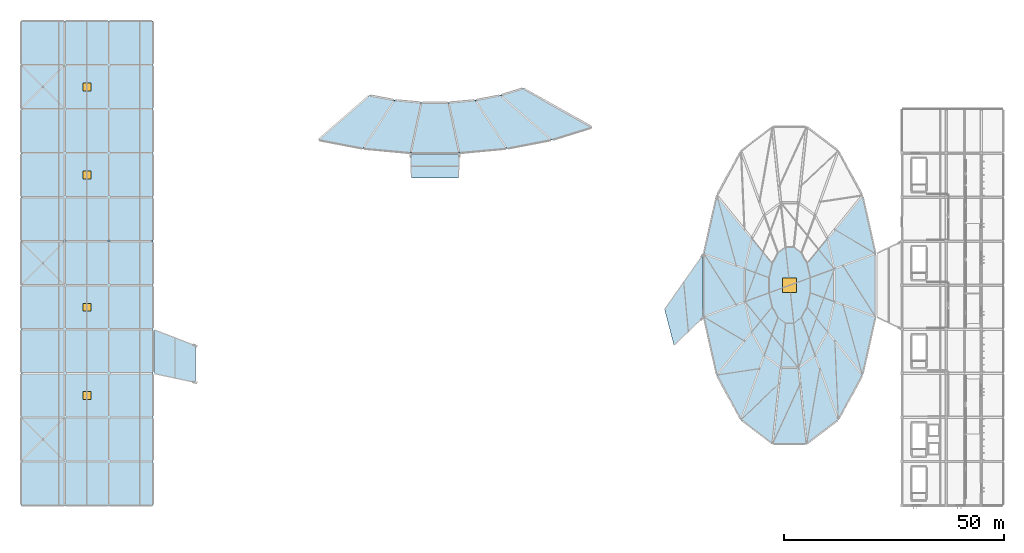
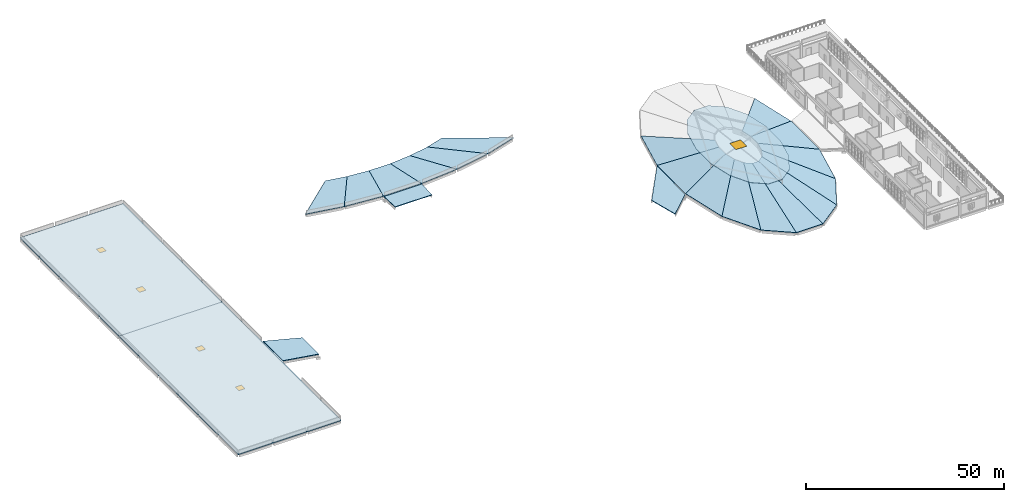
# One storey, part 15 of 39: 23 slabs, 5 windows, 5 openings.
"""IFC4 building model written with IfcOpenShell, lengths in metres."""

from ifc_helpers import new_model, si_unit, direction, frame, origin, origin_2d, place, context, subcontext, project, spatial, polyline, rectangle, outline, extrude, material, layer, layer_set, type_object, element, fill, save


model = new_model("IFC4")

# Units and contexts
model_context = context("Model", 3, precision=1e-05, world=origin(), true_north=direction((0.0, 1.0)))
body_context = subcontext(model_context, "Body", "Model", "MODEL_VIEW")
ifc_project = project(units=[si_unit("LENGTHUNIT", "METRE"), si_unit("AREAUNIT", "SQUARE_METRE"), si_unit("VOLUMEUNIT", "CUBIC_METRE"), si_unit("PLANEANGLEUNIT", "RADIAN"), si_unit("MASSUNIT", "GRAM", prefix="KILO")], contexts=[model_context])

# Site, building, storey
site_placement = place(None, origin())
site = spatial("IfcSite", under=ifc_project, at=site_placement, CompositionType="ELEMENT")
building_placement = place(site_placement, origin())
building = spatial("IfcBuilding", under=site, at=building_placement, Name="Corvandel Quay Wholesale Market", CompositionType="ELEMENT")
storey_placement = place(building_placement, frame((0.0, 0.0, 15.0)))
storey = spatial("IfcBuildingStorey", under=building, at=storey_placement, Name="L03", CompositionType="ELEMENT", Elevation=15.0)

# Slab, openings, windows
ifc_material_1 = material(Name="Precast concrete C45/55", Category="concrete")
ifc_layer_1 = layer(ifc_material_1, 0.25)
ifc_layer_set_1 = layer_set([ifc_layer_1], Name="Precast concrete C45/55")
slab_type_1 = type_object("IfcSlabType", Name="Heavy Plant Precast Roof Slab 250", PredefinedType="ROOF", material=ifc_layer_set_1)
slab_1_placement = place(storey_placement, frame((0.0, 0.0, -0.25)))
slab_1 = element("IfcSlab", 1, at=slab_1_placement, inside=storey, type_object=slab_type_1, Name="Slab SLB-0459", PredefinedType="ROOF", context=body_context, shape_type="SweptSolid", body=[
    extrude(outline(polyline([(20.0, 10.0), (50.0, 10.0), (50.0, 70.0), (20.0, 70.0), (20.0, 10.0)])), origin(), (0.0, 0.0, 1.0), 0.25),
])
opening_1_placement = place(slab_1_placement, frame((35.0, 35.0, 0.0)))
opening_1 = element("IfcOpeningElement", 2, at=opening_1_placement, cuts=slab_1, Name="Opening L03-SK006", PredefinedType="OPENING", context=body_context, shape_type="SweptSolid", body=[
    extrude(rectangle(XDim=1.800048828125, YDim=1.800048828125, at=origin_2d()), origin(), (0.0, 0.0, 1.0), 0.25),
])
opening_2_placement = place(slab_1_placement, frame((35.0, 55.0, 0.0)))
opening_2 = element("IfcOpeningElement", 3, at=opening_2_placement, cuts=slab_1, Name="Opening L03-SK007", PredefinedType="OPENING", context=body_context, shape_type="SweptSolid", body=[
    extrude(rectangle(XDim=1.800048828125, YDim=1.800048828125, at=origin_2d()), origin(), (0.0, 0.0, 1.0), 0.25),
])
ifc_material_2 = material(Name="Thermally broken bronze anodised aluminium and solar-control low-E double glazing", Category="aluminium")
window_type_1 = type_object("IfcWindowType", Name="Cold Block Smoke Vent Skylight SK05 1800x1800", PartitioningType="SINGLE_PANEL", PredefinedType="SKYLIGHT", material=ifc_material_2)
window_1_placement = place(opening_1_placement, frame((0.0, 0.0, 0.199951171875)))
window_1 = element("IfcWindow", 4, at=window_1_placement, inside=storey, type_object=window_type_1, Name="Roof Skylight L03-SK006", OverallHeight=1.800048828125, OverallWidth=1.800048828125, PartitioningType="SINGLE_PANEL", PredefinedType="SKYLIGHT", context=body_context, shape_type="SweptSolid", body=[
    extrude(rectangle(XDim=1.800048828125, YDim=1.800048828125, at=origin_2d()), origin(), (0.0, 0.0, 1.0), 0.050048828125),
])
fill(opening_1, window_1)
window_2_placement = place(opening_2_placement, frame((0.0, 0.0, 0.199951171875)))
window_2 = element("IfcWindow", 5, at=window_2_placement, inside=storey, type_object=window_type_1, Name="Roof Skylight L03-SK007", OverallHeight=1.800048828125, OverallWidth=1.800048828125, PartitioningType="SINGLE_PANEL", PredefinedType="SKYLIGHT", context=body_context, shape_type="SweptSolid", body=[
    extrude(rectangle(XDim=1.800048828125, YDim=1.800048828125, at=origin_2d()), origin(), (0.0, 0.0, 1.0), 0.050048828125),
])
fill(opening_2, window_2)

slab_2_placement = place(storey_placement, frame((0.0, 0.0, -0.25)))
slab_2 = element("IfcSlab", 6, at=slab_2_placement, inside=storey, type_object=slab_type_1, Name="Slab SLB-0460", PredefinedType="ROOF", context=body_context, shape_type="SweptSolid", body=[
    extrude(outline(polyline([(20.0, 70.0), (50.0, 70.0), (50.0, 120.0), (20.0, 120.0), (20.0, 70.0)])), origin(), (0.0, 0.0, 1.0), 0.25),
])
opening_3_placement = place(slab_2_placement, frame((35.0, 85.0, 0.0)))
opening_3 = element("IfcOpeningElement", 7, at=opening_3_placement, cuts=slab_2, Name="Opening L03-SK008", PredefinedType="OPENING", context=body_context, shape_type="SweptSolid", body=[
    extrude(rectangle(XDim=1.800048828125, YDim=1.800048828125, at=origin_2d()), origin(), (0.0, 0.0, 1.0), 0.25),
])
opening_4_placement = place(slab_2_placement, frame((35.0, 105.0, 0.0)))
opening_4 = element("IfcOpeningElement", 8, at=opening_4_placement, cuts=slab_2, Name="Opening L03-SK009", PredefinedType="OPENING", context=body_context, shape_type="SweptSolid", body=[
    extrude(rectangle(XDim=1.800048828125, YDim=1.800048828125, at=origin_2d()), origin(), (0.0, 0.0, 1.0), 0.25),
])
window_3_placement = place(opening_3_placement, frame((0.0, 0.0, 0.199951171875)))
window_3 = element("IfcWindow", 9, at=window_3_placement, inside=storey, type_object=window_type_1, Name="Roof Skylight L03-SK008", OverallHeight=1.800048828125, OverallWidth=1.800048828125, PartitioningType="SINGLE_PANEL", PredefinedType="SKYLIGHT", context=body_context, shape_type="SweptSolid", body=[
    extrude(rectangle(XDim=1.800048828125, YDim=1.800048828125, at=origin_2d()), origin(), (0.0, 0.0, 1.0), 0.050048828125),
])
fill(opening_3, window_3)
window_4_placement = place(opening_4_placement, frame((0.0, 0.0, 0.199951171875)))
window_4 = element("IfcWindow", 10, at=window_4_placement, inside=storey, type_object=window_type_1, Name="Roof Skylight L03-SK009", OverallHeight=1.800048828125, OverallWidth=1.800048828125, PartitioningType="SINGLE_PANEL", PredefinedType="SKYLIGHT", context=body_context, shape_type="SweptSolid", body=[
    extrude(rectangle(XDim=1.800048828125, YDim=1.800048828125, at=origin_2d()), origin(), (0.0, 0.0, 1.0), 0.050048828125),
])
fill(opening_4, window_4)

# Slabs
ifc_layer_2 = layer(ifc_material_1, 0.199951171875)
ifc_layer_set_2 = layer_set([ifc_layer_2], Name="Precast concrete C45/55")
slab_type_2 = type_object("IfcSlabType", Name="Insulated Flat Precast Roof Slab 200", PredefinedType="ROOF", material=ifc_layer_set_2)
slab_3_placement = place(storey_placement, frame((0.0, 0.0, -0.199951171875)))
element("IfcSlab", 11, at=slab_3_placement, inside=storey, type_object=slab_type_2, Name="Slab SLB-0329", PredefinedType="ROOF", context=body_context, shape_type="SweptSolid", body=[
    extrude(outline(polyline([(87.47412109375, 92.958984375), (97.6650390625, 90.9990234375), (104.85302734375, 102.0), (99.14501953125, 103.096923828125), (87.47412109375, 92.958984375)])), origin(), (0.0, 0.0, 1.0), 0.199951171875),
])
slab_4_placement = place(storey_placement, frame((0.0, 0.0, -0.199951171875)))
element("IfcSlab", 12, at=slab_4_placement, inside=storey, type_object=slab_type_2, Name="Slab SLB-0335", PredefinedType="ROOF", context=body_context, shape_type="SweptSolid", body=[
    extrude(outline(polyline([(97.6650390625, 90.9990234375), (108.48388671875, 90.0), (110.910888671875, 101.43994140625), (104.85302734375, 102.0), (97.6650390625, 90.9990234375)])), origin(), (0.0, 0.0, 1.0), 0.199951171875),
])
slab_5_placement = place(storey_placement, frame((0.0, 0.0, -0.199951171875)))
element("IfcSlab", 13, at=slab_5_placement, inside=storey, type_object=slab_type_2, Name="Slab SLB-0341", PredefinedType="ROOF", context=body_context, shape_type="SweptSolid", body=[
    extrude(outline(polyline([(108.48388671875, 90.0), (119.51611328125, 90.0), (117.089111328125, 101.43994140625), (110.910888671875, 101.43994140625), (108.48388671875, 90.0)])), origin(), (0.0, 0.0, 1.0), 0.199951171875),
])
slab_6_placement = place(storey_placement, frame((0.0, 0.0, -0.199951171875)))
element("IfcSlab", 14, at=slab_6_placement, inside=storey, type_object=slab_type_2, Name="Slab SLB-0347", PredefinedType="ROOF", context=body_context, shape_type="SweptSolid", body=[
    extrude(outline(polyline([(119.51611328125, 90.0), (130.3349609375, 90.9990234375), (123.14697265625, 102.0), (117.089111328125, 101.43994140625), (119.51611328125, 90.0)])), origin(), (0.0, 0.0, 1.0), 0.199951171875),
])
slab_7_placement = place(storey_placement, frame((0.0, 0.0, -0.199951171875)))
element("IfcSlab", 15, at=slab_7_placement, inside=storey, type_object=slab_type_2, Name="Slab SLB-0353", PredefinedType="ROOF", context=body_context, shape_type="SweptSolid", body=[
    extrude(outline(polyline([(130.3349609375, 90.9990234375), (140.52587890625, 92.958984375), (128.85498046875, 103.096923828125), (123.14697265625, 102.0), (130.3349609375, 90.9990234375)])), origin(), (0.0, 0.0, 1.0), 0.199951171875),
])
slab_8_placement = place(storey_placement, frame((0.0, 0.0, -0.199951171875)))
element("IfcSlab", 16, at=slab_8_placement, inside=storey, type_object=slab_type_2, Name="Slab SLB-0359", PredefinedType="ROOF", context=body_context, shape_type="SweptSolid", body=[
    extrude(outline(polyline([(140.52587890625, 92.958984375), (149.697998046875, 95.803955078125), (133.990966796875, 104.69091796875), (128.85498046875, 103.096923828125), (140.52587890625, 92.958984375)])), origin(), (0.0, 0.0, 1.0), 0.199951171875),
])

# Slab, opening, window
slab_9_placement = place(storey_placement, frame((0.0, 0.0, 3.64990234375)))
slab_9 = element("IfcSlab", 17, at=slab_9_placement, inside=storey, type_object=slab_type_2, Name="Slab SLB-0447", PredefinedType="ROOF", context=body_context, shape_type="SweptSolid", body=[
    extrude(outline(polyline([(204.639892578125, 63.72412109375), (203.095947265625, 70.60400390625), (200.243896484375, 75.8701171875), (196.51708984375, 78.719970703125), (192.48291015625, 78.719970703125), (188.756103515625, 75.8701171875), (185.904052734375, 70.60400390625), (184.360107421875, 63.72412109375), (184.360107421875, 56.27587890625), (185.904052734375, 49.39599609375), (188.756103515625, 44.1298828125), (192.48291015625, 41.280029296875), (196.51708984375, 41.280029296875), (200.243896484375, 44.1298828125), (203.095947265625, 49.39599609375), (204.639892578125, 56.27587890625), (204.639892578125, 63.72412109375)])), origin(), (0.0, 0.0, 1.0), 0.2001953125),
])
opening_5_placement = place(slab_9_placement, frame((194.5, 60.0, 0.0)))
opening_5 = element("IfcOpeningElement", 18, at=opening_5_placement, cuts=slab_9, Name="Opening L03-SK001", PredefinedType="OPENING", context=body_context, shape_type="SweptSolid", body=[
    extrude(rectangle(XDim=3.199951171875, YDim=3.199951171875, at=origin_2d()), origin(), (0.0, 0.0, 1.0), 0.2001953125),
])
window_type_2 = type_object("IfcWindowType", Name="Auction Oculus Roof Skylight SK03 3200x3200", PartitioningType="SINGLE_PANEL", PredefinedType="SKYLIGHT", material=ifc_material_2)
window_5_placement = place(opening_5_placement, frame((0.0, 0.0, 0.150146484375)))
window_5 = element("IfcWindow", 19, at=window_5_placement, inside=storey, type_object=window_type_2, Name="Roof Skylight L03-SK001", OverallHeight=3.199951171875, OverallWidth=3.199951171875, PartitioningType="SINGLE_PANEL", PredefinedType="SKYLIGHT", context=body_context, shape_type="SweptSolid", body=[
    extrude(rectangle(XDim=3.199951171875, YDim=3.199951171875, at=origin_2d()), origin(), (0.0, 0.0, 1.0), 0.050048828125),
])
fill(opening_5, window_5)

# Slabs
slab_10_placement = place(storey_placement, frame((0.0, 0.0, -0.199951171875)))
element("IfcSlab", 20, at=slab_10_placement, inside=storey, type_object=slab_type_2, Name="Slab SLB-0477", PredefinedType="ROOF", context=body_context, shape_type="SweptSolid", body=[
    extrude(outline(polyline([(108.669921875, 84.340087890625), (108.492919921875, 89.7099609375), (119.507080078125, 89.7099609375), (119.330078125, 84.340087890625), (108.669921875, 84.340087890625)])), origin(), (0.0, 0.0, 1.0), 0.199951171875),
])
slab_11_placement = place(storey_placement, frame((0.0, 0.0, -0.199951171875)))
element("IfcSlab", 21, at=slab_11_placement, inside=storey, type_object=slab_type_2, Name="Slab SLB-0480", PredefinedType="ROOF", context=body_context, shape_type="SweptSolid", body=[
    extrude(outline(polyline([(50.3330078125, 39.928955078125), (59.6669921875, 37.93408203125), (59.68310546875, 46.260009765625), (50.31689453125, 49.876953125), (50.3330078125, 39.928955078125)])), origin(), (0.0, 0.0, 1.0), 0.199951171875),
])
slab_12_placement = place(storey_placement, frame((0.0, 0.0, -0.199951171875)))
element("IfcSlab", 22, at=slab_12_placement, inside=storey, type_object=slab_type_2, Name="Slab SLB-0483", PredefinedType="ROOF", context=body_context, shape_type="SweptSolid", body=[
    extrude(outline(polyline([(168.24609375, 46.3720703125), (174.77294921875, 52.62109375), (174.819091796875, 66.903076171875), (166.1201171875, 54.529052734375), (168.24609375, 46.3720703125)])), origin(), (0.0, 0.0, 1.0), 0.199951171875),
])
ifc_material_3 = material(Name="Concrete C40/50", Category="concrete")
ifc_layer_3 = layer(ifc_material_3, 0.159912109375)
ifc_layer_set_3 = layer_set([ifc_layer_3], Name="Concrete C40/50")
slab_type_3 = type_object("IfcSlabType", Name="Pitched Pavilion Roof Deck 160", PredefinedType="ROOF", material=ifc_layer_set_3)
slab_13_placement = place(storey_placement, frame((214.0, 67.160888671875, -0.0400390625), z_axis=(0.226773727351, 0.050878980465, 0.972617605192), x_axis=(-0.218947121972, 0.975736725623, 7.161232e-06)))
element("IfcSlab", 23, at=slab_13_placement, inside=storey, type_object=slab_type_3, Name="Sloped Roof SLB-0386", PredefinedType="ROOF", context=body_context, shape_type="SweptSolid", body=[
    extrude(outline(polyline([(0.0, 0.0), (13.56022162974203, 4.440892098500626e-16), (1.1888650288599119, 16.092084833593947), (-2.0650182534627146, 16.092602922520467), (0.0, 0.0)])), origin(), (0.0, 0.0, -1.0), 0.159912109375),
])
slab_14_placement = place(storey_placement, frame((177.968994140625, 80.39208984375, -0.0400390625), z_axis=(-0.226773727351, 0.050878980465, 0.972617605192), x_axis=(-0.218947121972, -0.975736725623, -7.161232e-06)))
element("IfcSlab", 24, at=slab_14_placement, inside=storey, type_object=slab_type_3, Name="Sloped Roof SLB-0410", PredefinedType="ROOF", context=body_context, shape_type="SweptSolid", body=[
    extrude(outline(polyline([(0.0, 0.0), (13.56022162974203, -4.440892098500626e-16), (15.625239883204742, 16.092602922520467), (12.371356600882118, 16.092084833593947), (0.0, 0.0)])), origin(), (0.0, 0.0, -1.0), 0.159912109375),
])
slab_15_placement = place(storey_placement, frame((175.0, 67.160888671875, -0.0400390625), z_axis=(-0.244688547534, 0.0, 0.969601729942), x_axis=(0.0, -1.0, 0.0)))
element("IfcSlab", 25, at=slab_15_placement, inside=storey, type_object=slab_type_3, Name="Sloped Roof SLB-0414", PredefinedType="ROOF", context=body_context, shape_type="SweptSolid", body=[
    extrude(outline(polyline([(0.0, 0.0), (14.32177734375, 0.0), (8.8798828125, 15.284696697343012), (5.44189453125, 15.284696697343012), (0.0, 0.0)])), origin(), (0.0, 0.0, -1.0), 0.159912109375),
])
slab_16_placement = place(storey_placement, frame((175.0, 52.839111328125, -0.0400390625), z_axis=(-0.226773727351, -0.050878980465, 0.972617605192), x_axis=(0.218947121972, -0.975736725623, 7.161232e-06)))
element("IfcSlab", 26, at=slab_16_placement, inside=storey, type_object=slab_type_3, Name="Sloped Roof SLB-0418", PredefinedType="ROOF", context=body_context, shape_type="SweptSolid", body=[
    extrude(outline(polyline([(0.0, 0.0), (13.56022162974203, 4.440892098500626e-16), (1.1888650288599119, 16.092084833593947), (-2.0650182534627146, 16.092602922520467), (0.0, 0.0)])), origin(), (0.0, 0.0, -1.0), 0.159912109375),
])
slab_17_placement = place(storey_placement, frame((177.968994140625, 39.60791015625, -0.0400390625), z_axis=(-0.174884476484, -0.094730083088, 0.9800212402), x_axis=(0.476262312646, -0.879303252308, -5.698789e-06)))
element("IfcSlab", 27, at=slab_17_placement, inside=storey, type_object=slab_type_3, Name="Sloped Roof SLB-0422", PredefinedType="ROOF", context=body_context, shape_type="SweptSolid", body=[
    extrude(outline(polyline([(0.0, 0.0), (11.517012764643894, 0.0), (-4.879417483439536, 18.80390516037568), (-7.644226482453846, 18.803495949642144), (0.0, 0.0)])), origin(), (0.0, 0.0, -1.0), 0.159912109375),
])
slab_18_placement = place(storey_placement, frame((183.4541015625, 29.48095703125, -0.0400390625), z_axis=(-0.095377214904, -0.124724313828, 0.987596593968), x_axis=(0.79434136747, -0.607471638766, -4.471464e-06)))
element("IfcSlab", 28, at=slab_18_placement, inside=storey, type_object=slab_type_3, Name="Sloped Roof SLB-0426", PredefinedType="ROOF", context=body_context, shape_type="SweptSolid", body=[
    extrude(outline(polyline([(0.0, 0.0), (9.022564324648844, -8.881784197001252e-16), (-5.256224891110832, 23.8195272015289), (-7.421258382376355, 23.81920859696001), (0.0, 0.0)])), origin(), (0.0, 0.0, -1.0), 0.159912109375),
])
slab_19_placement = place(storey_placement, frame((190.62109375, 24.0, -0.0400390625), z_axis=(0.0, -0.135435527046, 0.990786161598), x_axis=(1.0, 0.0, 0.0)))
element("IfcSlab", 29, at=slab_19_placement, inside=storey, type_object=slab_type_3, Name="Sloped Roof SLB-0430", PredefinedType="ROOF", context=body_context, shape_type="SweptSolid", body=[
    extrude(outline(polyline([(0.0, 0.0), (7.7578125, 0.0), (4.809814453125, 27.614543361963456), (2.947998046875, 27.614543361963456), (0.0, 0.0)])), origin(), (0.0, 0.0, -1.0), 0.159912109375),
])
slab_20_placement = place(storey_placement, frame((198.37890625, 24.0, -0.0400390625), z_axis=(0.095377214904, -0.124724313828, 0.987596593968), x_axis=(0.79434136747, 0.607471638766, 4.471464e-06)))
element("IfcSlab", 30, at=slab_20_placement, inside=storey, type_object=slab_type_3, Name="Sloped Roof SLB-0434", PredefinedType="ROOF", context=body_context, shape_type="SweptSolid", body=[
    extrude(outline(polyline([(0.0, 0.0), (9.022564324648844, 8.881784197001252e-16), (16.4438227070252, 23.81920859696001), (14.278789215759675, 23.819527201528903), (0.0, 0.0)])), origin(), (0.0, 0.0, -1.0), 0.159912109375),
])
slab_21_placement = place(storey_placement, frame((205.5458984375, 29.48095703125, -0.0400390625), z_axis=(0.174884476484, -0.094730083088, 0.9800212402), x_axis=(0.476262312646, 0.879303252308, 5.698789e-06)))
element("IfcSlab", 31, at=slab_21_placement, inside=storey, type_object=slab_type_3, Name="Sloped Roof SLB-0438", PredefinedType="ROOF", context=body_context, shape_type="SweptSolid", body=[
    extrude(outline(polyline([(0.0, 0.0), (11.517012764643894, 0.0), (19.16123924709774, 18.803495949642144), (16.39643024808343, 18.80390516037568), (0.0, 0.0)])), origin(), (0.0, 0.0, -1.0), 0.159912109375),
])
slab_22_placement = place(storey_placement, frame((211.031005859375, 39.60791015625, -0.0400390625), z_axis=(0.226773727351, -0.050878980465, 0.972617605192), x_axis=(0.218947121972, 0.975736725623, -7.161232e-06)))
element("IfcSlab", 32, at=slab_22_placement, inside=storey, type_object=slab_type_3, Name="Sloped Roof SLB-0442", PredefinedType="ROOF", context=body_context, shape_type="SweptSolid", body=[
    extrude(outline(polyline([(0.0, 0.0), (13.56022162974203, -4.440892098500626e-16), (15.625239883204742, 16.092602922520467), (12.371356600882118, 16.092084833593947), (0.0, 0.0)])), origin(), (0.0, 0.0, -1.0), 0.159912109375),
])
slab_23_placement = place(storey_placement, frame((214.0, 52.839111328125, -0.0400390625), z_axis=(0.244688547534, 0.0, 0.969601729942), x_axis=(0.0, 1.0, 0.0)))
element("IfcSlab", 33, at=slab_23_placement, inside=storey, type_object=slab_type_3, Name="Sloped Roof SLB-0446", PredefinedType="ROOF", context=body_context, shape_type="SweptSolid", body=[
    extrude(outline(polyline([(0.0, 0.0), (14.32177734375, 0.0), (8.8798828125, 15.284696697343012), (5.44189453125, 15.284696697343012), (0.0, 0.0)])), origin(), (0.0, 0.0, -1.0), 0.159912109375),
])

save(model, "model.ifc")
